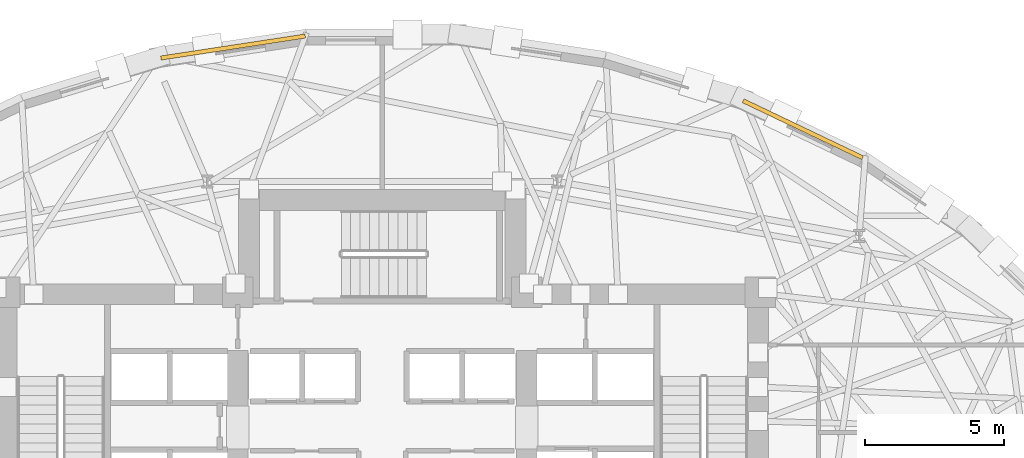
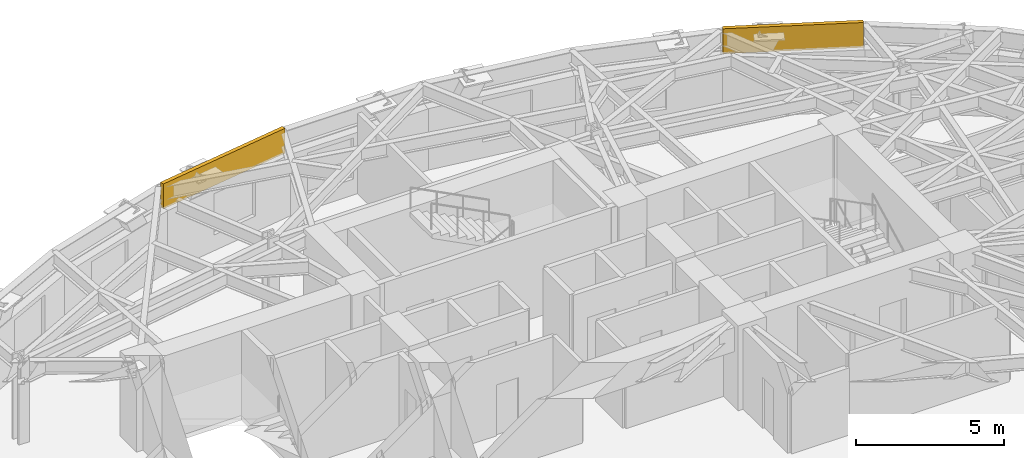
# One storey, part 14 of 14: 2 coverings.
"""IFC4 building model written with IfcOpenShell, lengths in metres."""

from ifc_helpers import new_model, si_unit, direction, frame, origin, origin_2d, place, context, subcontext, project, spatial, rectangle, extrude, material, layer, layer_set, type_object, element, save


model = new_model("IFC4")

# Units and contexts
model_context = context("Model", 3, precision=1e-05, world=origin(), true_north=direction((0.0, 1.0)))
body_context = subcontext(model_context, "Body", "Model", "MODEL_VIEW")
ifc_project = project(units=[si_unit("LENGTHUNIT", "METRE"), si_unit("AREAUNIT", "SQUARE_METRE"), si_unit("VOLUMEUNIT", "CUBIC_METRE"), si_unit("PLANEANGLEUNIT", "RADIAN"), si_unit("MASSUNIT", "GRAM", prefix="KILO")], contexts=[model_context])

# Site, building, storey
site_placement = place(None, origin())
site = spatial("IfcSite", under=ifc_project, at=site_placement, CompositionType="ELEMENT")
building_placement = place(site_placement, origin())
building = spatial("IfcBuilding", under=site, at=building_placement, Name="Keldmark Tower", CompositionType="ELEMENT")
storey_placement = place(building_placement, frame((0.0, 0.0, 103.60009765625)))
storey = spatial("IfcBuildingStorey", under=building, at=storey_placement, Name="L27", CompositionType="ELEMENT", Elevation=103.60009765625)

# Coverings
ifc_material = material(Name="Honed Kasota Buff Dolomitic Limestone", Category="masonry")
ifc_layer = layer(ifc_material, 0.074951171875)
ifc_layer_set = layer_set([ifc_layer], Name="Honed Kasota Buff Dolomitic Limestone")
covering_type = type_object("IfcCoveringType", Name="Kasota Buff Limestone Spandrel Cladding Band", PredefinedType="CLADDING", material=ifc_layer_set)
covering_1_placement = place(storey_placement, frame((15.139892578125, 15.31689453125, 2.45166015625), z_axis=(0.0, 0.0, 1.0), x_axis=(-0.902367267498, 0.430967881109, 0.0)))
element("IfcCovering", 1, at=covering_1_placement, inside=storey, type_object=covering_type, Name="L27 Kasota Limestone Spandrel Band 05", PredefinedType="CLADDING", context=body_context, shape_type="SweptSolid", body=[
    extrude(rectangle(XDim=4.76171875, YDim=0.14990234375, at=origin_2d()), origin(), (0.0, 0.0, 1.0), 1.028076171875),
])
covering_2_placement = place(storey_placement, frame((-5.37109375, 18.275146484375, 2.45166015625), z_axis=(0.0, 0.0, 1.0), x_axis=(-0.988622885275, -0.15041539386, 0.0)))
element("IfcCovering", 2, at=covering_2_placement, inside=storey, type_object=covering_type, Name="L27 Kasota Limestone Spandrel Band 09", PredefinedType="CLADDING", context=body_context, shape_type="SweptSolid", body=[
    extrude(rectangle(XDim=5.257080078125, YDim=0.14990234375, at=origin_2d()), origin(), (0.0, 0.0, 1.0), 1.028076171875),
])

save(model, "model.ifc")
